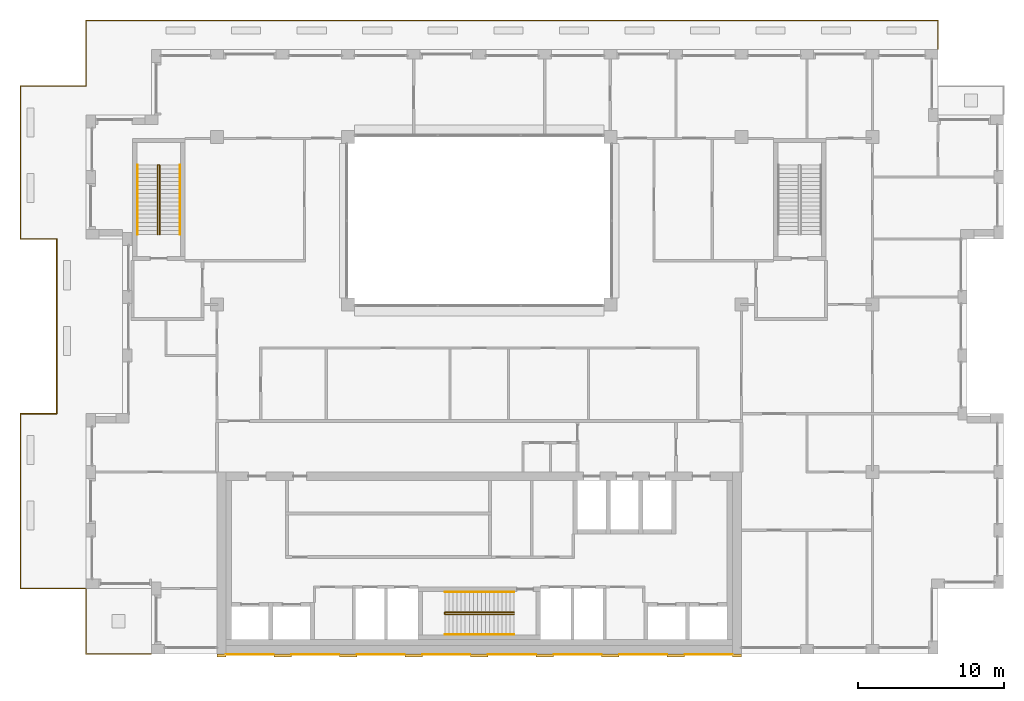
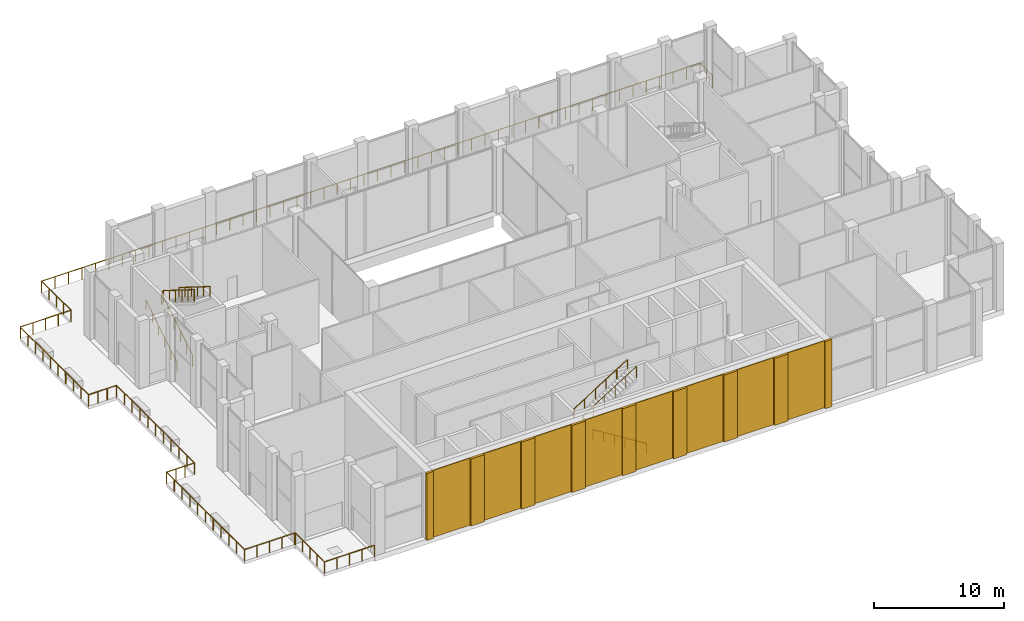
# One storey, part 17 of 18: 17 coverings, 8 railings.
"""IFC4 building model written with IfcOpenShell, lengths in metres."""

from ifc_helpers import new_model, si_unit, direction, frame, origin, origin_2d, place, context, subcontext, project, spatial, rectangle, circle, extrude, material, layer, layer_set, type_object, element, save


model = new_model("IFC4")

# Units and contexts
model_context = context("Model", 3, precision=1e-05, world=origin(), true_north=direction((0.0, 1.0)))
body_context = subcontext(model_context, "Body", "Model", "MODEL_VIEW")
ifc_project = project(units=[si_unit("LENGTHUNIT", "METRE"), si_unit("AREAUNIT", "SQUARE_METRE"), si_unit("VOLUMEUNIT", "CUBIC_METRE"), si_unit("PLANEANGLEUNIT", "RADIAN"), si_unit("MASSUNIT", "GRAM", prefix="KILO")], contexts=[model_context])

# Site, building, storey
site_placement = place(None, origin())
site = spatial("IfcSite", under=ifc_project, at=site_placement, CompositionType="ELEMENT")
building_placement = place(site_placement, origin())
building = spatial("IfcBuilding", under=site, at=building_placement, Name="Brigalow Station Residences", CompositionType="ELEMENT")
storey_placement = place(building_placement, frame((0.0, 0.0, 191.699951171875)))
storey = spatial("IfcBuildingStorey", under=building, at=storey_placement, Name="L55", CompositionType="ELEMENT", Elevation=191.699951171875)

# Railings
ifc_material_1 = material(Name="Stainless steel balustrade with laminated glass infill", Category="steel")
railing_type_1 = type_object("IfcRailingType", Name="BALCONY GUARD 1100", PredefinedType="GUARDRAIL", material=ifc_material_1)
railing_1_placement = place(storey_placement, frame((67.5, 41.550048828125, -0.0400390625)))
element("IfcRailing", 1, at=railing_1_placement, inside=storey, type_object=railing_type_1, Name="L55/terrace-guard/1-1", PredefinedType="GUARDRAIL", context=body_context, shape_type="SweptSolid", body=[
    extrude(circle(Radius=0.02392578125, at=origin_2d()), frame((0.0, 0.0, 1.076171875), z_axis=(0.0, 1.0, 0.0), x_axis=(-1.0, 0.0, 0.0)), (0.0, 0.0, 1.0), 1.949951171875),
    extrude(circle(Radius=0.02392578125, at=origin_2d()), frame((0.0, 1.949951171875, 1.076171875), z_axis=(-1.0, 0.0, 0.0), x_axis=(0.0, -1.0, 0.0)), (0.0, 0.0, 1.0), 58.5),
    extrude(circle(Radius=0.02392578125, at=origin_2d()), frame((-58.5, 1.949951171875, 1.076171875), z_axis=(0.0, -1.0, 0.0), x_axis=(1.0, 0.0, 0.0)), (0.0, 0.0, 1.0), 4.5),
    extrude(circle(Radius=0.02392578125, at=origin_2d()), frame((-58.5, -2.550048828125, 1.076171875), z_axis=(-1.0, 0.0, 0.0), x_axis=(0.0, -1.0, 0.0)), (0.0, 0.0, 1.0), 4.5),
    extrude(circle(Radius=0.02392578125, at=origin_2d()), frame((-63.0, -2.550048828125, 1.076171875), z_axis=(0.0, -1.0, 0.0), x_axis=(1.0, 0.0, 0.0)), (0.0, 0.0, 1.0), 10.5),
    extrude(circle(Radius=0.02392578125, at=origin_2d()), frame((-63.0, -13.050048828125, 1.076171875), z_axis=(1.0, 0.0, 0.0), x_axis=(0.0, 1.0, 0.0)), (0.0, 0.0, 1.0), 2.5),
    extrude(circle(Radius=0.02392578125, at=origin_2d()), frame((-60.5, -13.050048828125, 1.076171875), z_axis=(0.0, -1.0, 0.0), x_axis=(1.0, 0.0, 0.0)), (0.0, 0.0, 1.0), 12.0),
    extrude(circle(Radius=0.02392578125, at=origin_2d()), frame((-60.5, -25.050048828125, 1.076171875), z_axis=(-1.0, 0.0, 0.0), x_axis=(0.0, -1.0, 0.0)), (0.0, 0.0, 1.0), 2.5),
    extrude(circle(Radius=0.02392578125, at=origin_2d()), frame((-63.0, -25.050048828125, 1.076171875), z_axis=(0.0, -1.0, 0.0), x_axis=(1.0, 0.0, 0.0)), (0.0, 0.0, 1.0), 12.0),
    extrude(circle(Radius=0.02392578125, at=origin_2d()), frame((-63.0, -37.050048828125, 1.076171875), z_axis=(1.0, 0.0, 0.0), x_axis=(0.0, 1.0, 0.0)), (0.0, 0.0, 1.0), 4.449951171875),
    extrude(circle(Radius=0.02099609375, at=origin_2d()), origin(), (0.0, 0.0, 1.0), 1.052001953125),
    extrude(circle(Radius=0.02099609375, at=origin_2d()), frame((0.0, 0.97509765625, 0.0)), (0.0, 0.0, 1.0), 1.052001953125),
    extrude(circle(Radius=0.02099609375, at=origin_2d()), frame((0.0, 1.949951171875, 0.0)), (0.0, 0.0, 1.0), 1.052001953125),
    extrude(circle(Radius=0.02099609375, at=origin_2d()), frame((-1.19384765625, 1.949951171875, 0.0)), (0.0, 0.0, 1.0), 1.052001953125),
    extrude(circle(Radius=0.02099609375, at=origin_2d()), frame((-2.3876953125, 1.949951171875, 0.0)), (0.0, 0.0, 1.0), 1.052001953125),
    extrude(circle(Radius=0.02099609375, at=origin_2d()), frame((-3.58154296875, 1.949951171875, 0.0)), (0.0, 0.0, 1.0), 1.052001953125),
    extrude(circle(Radius=0.02099609375, at=origin_2d()), frame((-4.775390625, 1.949951171875, 0.0)), (0.0, 0.0, 1.0), 1.052001953125),
    extrude(circle(Radius=0.02099609375, at=origin_2d()), frame((-5.969482421875, 1.949951171875, 0.0)), (0.0, 0.0, 1.0), 1.052001953125),
    extrude(circle(Radius=0.02099609375, at=origin_2d()), frame((-7.163330078125, 1.949951171875, 0.0)), (0.0, 0.0, 1.0), 1.052001953125),
    extrude(circle(Radius=0.02099609375, at=origin_2d()), frame((-8.357177734375, 1.949951171875, 0.0)), (0.0, 0.0, 1.0), 1.052001953125),
    extrude(circle(Radius=0.02099609375, at=origin_2d()), frame((-9.551025390625, 1.949951171875, 0.0)), (0.0, 0.0, 1.0), 1.052001953125),
    extrude(circle(Radius=0.02099609375, at=origin_2d()), frame((-10.744873046875, 1.949951171875, 0.0)), (0.0, 0.0, 1.0), 1.052001953125),
    extrude(circle(Radius=0.02099609375, at=origin_2d()), frame((-11.938720703125, 1.949951171875, 0.0)), (0.0, 0.0, 1.0), 1.052001953125),
    extrude(circle(Radius=0.02099609375, at=origin_2d()), frame((-13.132568359375, 1.949951171875, 0.0)), (0.0, 0.0, 1.0), 1.052001953125),
    extrude(circle(Radius=0.02099609375, at=origin_2d()), frame((-14.326416015625, 1.949951171875, 0.0)), (0.0, 0.0, 1.0), 1.052001953125),
    extrude(circle(Radius=0.02099609375, at=origin_2d()), frame((-15.5205078125, 1.949951171875, 0.0)), (0.0, 0.0, 1.0), 1.052001953125),
    extrude(circle(Radius=0.02099609375, at=origin_2d()), frame((-16.71435546875, 1.949951171875, 0.0)), (0.0, 0.0, 1.0), 1.052001953125),
    extrude(circle(Radius=0.02099609375, at=origin_2d()), frame((-17.908203125, 1.949951171875, 0.0)), (0.0, 0.0, 1.0), 1.052001953125),
    extrude(circle(Radius=0.02099609375, at=origin_2d()), frame((-19.10205078125, 1.949951171875, 0.0)), (0.0, 0.0, 1.0), 1.052001953125),
    extrude(circle(Radius=0.02099609375, at=origin_2d()), frame((-20.2958984375, 1.949951171875, 0.0)), (0.0, 0.0, 1.0), 1.052001953125),
    extrude(circle(Radius=0.02099609375, at=origin_2d()), frame((-21.48974609375, 1.949951171875, 0.0)), (0.0, 0.0, 1.0), 1.052001953125),
    extrude(circle(Radius=0.02099609375, at=origin_2d()), frame((-22.68359375, 1.949951171875, 0.0)), (0.0, 0.0, 1.0), 1.052001953125),
    extrude(circle(Radius=0.02099609375, at=origin_2d()), frame((-23.87744140625, 1.949951171875, 0.0)), (0.0, 0.0, 1.0), 1.052001953125),
    extrude(circle(Radius=0.02099609375, at=origin_2d()), frame((-25.071533203125, 1.949951171875, 0.0)), (0.0, 0.0, 1.0), 1.052001953125),
    extrude(circle(Radius=0.02099609375, at=origin_2d()), frame((-26.265380859375, 1.949951171875, 0.0)), (0.0, 0.0, 1.0), 1.052001953125),
    extrude(circle(Radius=0.02099609375, at=origin_2d()), frame((-27.459228515625, 1.949951171875, 0.0)), (0.0, 0.0, 1.0), 1.052001953125),
    extrude(circle(Radius=0.02099609375, at=origin_2d()), frame((-28.653076171875, 1.949951171875, 0.0)), (0.0, 0.0, 1.0), 1.052001953125),
    extrude(circle(Radius=0.02099609375, at=origin_2d()), frame((-29.846923828125, 1.949951171875, 0.0)), (0.0, 0.0, 1.0), 1.052001953125),
    extrude(circle(Radius=0.02099609375, at=origin_2d()), frame((-31.040771484375, 1.949951171875, 0.0)), (0.0, 0.0, 1.0), 1.052001953125),
    extrude(circle(Radius=0.02099609375, at=origin_2d()), frame((-32.234619140625, 1.949951171875, 0.0)), (0.0, 0.0, 1.0), 1.052001953125),
    extrude(circle(Radius=0.02099609375, at=origin_2d()), frame((-33.428466796875, 1.949951171875, 0.0)), (0.0, 0.0, 1.0), 1.052001953125),
    extrude(circle(Radius=0.02099609375, at=origin_2d()), frame((-34.62255859375, 1.949951171875, 0.0)), (0.0, 0.0, 1.0), 1.052001953125),
    extrude(circle(Radius=0.02099609375, at=origin_2d()), frame((-35.81640625, 1.949951171875, 0.0)), (0.0, 0.0, 1.0), 1.052001953125),
    extrude(circle(Radius=0.02099609375, at=origin_2d()), frame((-37.01025390625, 1.949951171875, 0.0)), (0.0, 0.0, 1.0), 1.052001953125),
    extrude(circle(Radius=0.02099609375, at=origin_2d()), frame((-38.2041015625, 1.949951171875, 0.0)), (0.0, 0.0, 1.0), 1.052001953125),
    extrude(circle(Radius=0.02099609375, at=origin_2d()), frame((-39.39794921875, 1.949951171875, 0.0)), (0.0, 0.0, 1.0), 1.052001953125),
    extrude(circle(Radius=0.02099609375, at=origin_2d()), frame((-40.591796875, 1.949951171875, 0.0)), (0.0, 0.0, 1.0), 1.052001953125),
    extrude(circle(Radius=0.02099609375, at=origin_2d()), frame((-41.78564453125, 1.949951171875, 0.0)), (0.0, 0.0, 1.0), 1.052001953125),
    extrude(circle(Radius=0.02099609375, at=origin_2d()), frame((-42.9794921875, 1.949951171875, 0.0)), (0.0, 0.0, 1.0), 1.052001953125),
    extrude(circle(Radius=0.02099609375, at=origin_2d()), frame((-44.173583984375, 1.949951171875, 0.0)), (0.0, 0.0, 1.0), 1.052001953125),
    extrude(circle(Radius=0.02099609375, at=origin_2d()), frame((-45.367431640625, 1.949951171875, 0.0)), (0.0, 0.0, 1.0), 1.052001953125),
    extrude(circle(Radius=0.02099609375, at=origin_2d()), frame((-46.561279296875, 1.949951171875, 0.0)), (0.0, 0.0, 1.0), 1.052001953125),
    extrude(circle(Radius=0.02099609375, at=origin_2d()), frame((-47.755126953125, 1.949951171875, 0.0)), (0.0, 0.0, 1.0), 1.052001953125),
    extrude(circle(Radius=0.02099609375, at=origin_2d()), frame((-48.948974609375, 1.949951171875, 0.0)), (0.0, 0.0, 1.0), 1.052001953125),
    extrude(circle(Radius=0.02099609375, at=origin_2d()), frame((-50.142822265625, 1.949951171875, 0.0)), (0.0, 0.0, 1.0), 1.052001953125),
    extrude(circle(Radius=0.02099609375, at=origin_2d()), frame((-51.336669921875, 1.949951171875, 0.0)), (0.0, 0.0, 1.0), 1.052001953125),
    extrude(circle(Radius=0.02099609375, at=origin_2d()), frame((-52.530517578125, 1.949951171875, 0.0)), (0.0, 0.0, 1.0), 1.052001953125),
    extrude(circle(Radius=0.02099609375, at=origin_2d()), frame((-53.724609375, 1.949951171875, 0.0)), (0.0, 0.0, 1.0), 1.052001953125),
    extrude(circle(Radius=0.02099609375, at=origin_2d()), frame((-54.91845703125, 1.949951171875, 0.0)), (0.0, 0.0, 1.0), 1.052001953125),
    extrude(circle(Radius=0.02099609375, at=origin_2d()), frame((-56.1123046875, 1.949951171875, 0.0)), (0.0, 0.0, 1.0), 1.052001953125),
    extrude(circle(Radius=0.02099609375, at=origin_2d()), frame((-57.30615234375, 1.949951171875, 0.0)), (0.0, 0.0, 1.0), 1.052001953125),
    extrude(circle(Radius=0.02099609375, at=origin_2d()), frame((-58.5, 1.949951171875, 0.0)), (0.0, 0.0, 1.0), 1.052001953125),
    extrude(circle(Radius=0.02099609375, at=origin_2d()), frame((-58.5, 0.824951171875, 0.0)), (0.0, 0.0, 1.0), 1.052001953125),
    extrude(circle(Radius=0.02099609375, at=origin_2d()), frame((-58.5, -0.300048828125, 0.0)), (0.0, 0.0, 1.0), 1.052001953125),
    extrude(circle(Radius=0.02099609375, at=origin_2d()), frame((-58.5, -1.425048828125, 0.0)), (0.0, 0.0, 1.0), 1.052001953125),
    extrude(circle(Radius=0.02099609375, at=origin_2d()), frame((-58.5, -2.550048828125, 0.0)), (0.0, 0.0, 1.0), 1.052001953125),
    extrude(circle(Radius=0.02099609375, at=origin_2d()), frame((-59.625, -2.550048828125, 0.0)), (0.0, 0.0, 1.0), 1.052001953125),
    extrude(circle(Radius=0.02099609375, at=origin_2d()), frame((-60.75, -2.550048828125, 0.0)), (0.0, 0.0, 1.0), 1.052001953125),
    extrude(circle(Radius=0.02099609375, at=origin_2d()), frame((-61.875, -2.550048828125, 0.0)), (0.0, 0.0, 1.0), 1.052001953125),
    extrude(circle(Radius=0.02099609375, at=origin_2d()), frame((-63.0, -2.550048828125, 0.0)), (0.0, 0.0, 1.0), 1.052001953125),
    extrude(circle(Radius=0.02099609375, at=origin_2d()), frame((-63.0, -3.716796875, 0.0)), (0.0, 0.0, 1.0), 1.052001953125),
    extrude(circle(Radius=0.02099609375, at=origin_2d()), frame((-63.0, -4.88330078125, 0.0)), (0.0, 0.0, 1.0), 1.052001953125),
    extrude(circle(Radius=0.02099609375, at=origin_2d()), frame((-63.0, -6.050048828125, 0.0)), (0.0, 0.0, 1.0), 1.052001953125),
    extrude(circle(Radius=0.02099609375, at=origin_2d()), frame((-63.0, -7.216796875, 0.0)), (0.0, 0.0, 1.0), 1.052001953125),
    extrude(circle(Radius=0.02099609375, at=origin_2d()), frame((-63.0, -8.38330078125, 0.0)), (0.0, 0.0, 1.0), 1.052001953125),
    extrude(circle(Radius=0.02099609375, at=origin_2d()), frame((-63.0, -9.550048828125, 0.0)), (0.0, 0.0, 1.0), 1.052001953125),
    extrude(circle(Radius=0.02099609375, at=origin_2d()), frame((-63.0, -10.716796875, 0.0)), (0.0, 0.0, 1.0), 1.052001953125),
    extrude(circle(Radius=0.02099609375, at=origin_2d()), frame((-63.0, -11.88330078125, 0.0)), (0.0, 0.0, 1.0), 1.052001953125),
    extrude(circle(Radius=0.02099609375, at=origin_2d()), frame((-63.0, -13.050048828125, 0.0)), (0.0, 0.0, 1.0), 1.052001953125),
    extrude(circle(Radius=0.02099609375, at=origin_2d()), frame((-62.166748046875, -13.050048828125, 0.0)), (0.0, 0.0, 1.0), 1.052001953125),
    extrude(circle(Radius=0.02099609375, at=origin_2d()), frame((-61.333251953125, -13.050048828125, 0.0)), (0.0, 0.0, 1.0), 1.052001953125),
    extrude(circle(Radius=0.02099609375, at=origin_2d()), frame((-60.5, -13.050048828125, 0.0)), (0.0, 0.0, 1.0), 1.052001953125),
    extrude(circle(Radius=0.02099609375, at=origin_2d()), frame((-60.5, -14.25, 0.0)), (0.0, 0.0, 1.0), 1.052001953125),
    extrude(circle(Radius=0.02099609375, at=origin_2d()), frame((-60.5, -15.449951171875, 0.0)), (0.0, 0.0, 1.0), 1.052001953125),
    extrude(circle(Radius=0.02099609375, at=origin_2d()), frame((-60.5, -16.650146484375, 0.0)), (0.0, 0.0, 1.0), 1.052001953125),
    extrude(circle(Radius=0.02099609375, at=origin_2d()), frame((-60.5, -17.85009765625, 0.0)), (0.0, 0.0, 1.0), 1.052001953125),
    extrude(circle(Radius=0.02099609375, at=origin_2d()), frame((-60.5, -19.050048828125, 0.0)), (0.0, 0.0, 1.0), 1.052001953125),
    extrude(circle(Radius=0.02099609375, at=origin_2d()), frame((-60.5, -20.25, 0.0)), (0.0, 0.0, 1.0), 1.052001953125),
    extrude(circle(Radius=0.02099609375, at=origin_2d()), frame((-60.5, -21.449951171875, 0.0)), (0.0, 0.0, 1.0), 1.052001953125),
    extrude(circle(Radius=0.02099609375, at=origin_2d()), frame((-60.5, -22.650146484375, 0.0)), (0.0, 0.0, 1.0), 1.052001953125),
    extrude(circle(Radius=0.02099609375, at=origin_2d()), frame((-60.5, -23.85009765625, 0.0)), (0.0, 0.0, 1.0), 1.052001953125),
    extrude(circle(Radius=0.02099609375, at=origin_2d()), frame((-60.5, -25.050048828125, 0.0)), (0.0, 0.0, 1.0), 1.052001953125),
    extrude(circle(Radius=0.02099609375, at=origin_2d()), frame((-61.333251953125, -25.050048828125, 0.0)), (0.0, 0.0, 1.0), 1.052001953125),
    extrude(circle(Radius=0.02099609375, at=origin_2d()), frame((-62.166748046875, -25.050048828125, 0.0)), (0.0, 0.0, 1.0), 1.052001953125),
    extrude(circle(Radius=0.02099609375, at=origin_2d()), frame((-63.0, -25.050048828125, 0.0)), (0.0, 0.0, 1.0), 1.052001953125),
    extrude(circle(Radius=0.02099609375, at=origin_2d()), frame((-63.0, -26.25, 0.0)), (0.0, 0.0, 1.0), 1.052001953125),
    extrude(circle(Radius=0.02099609375, at=origin_2d()), frame((-63.0, -27.449951171875, 0.0)), (0.0, 0.0, 1.0), 1.052001953125),
    extrude(circle(Radius=0.02099609375, at=origin_2d()), frame((-63.0, -28.650146484375, 0.0)), (0.0, 0.0, 1.0), 1.052001953125),
    extrude(circle(Radius=0.02099609375, at=origin_2d()), frame((-63.0, -29.85009765625, 0.0)), (0.0, 0.0, 1.0), 1.052001953125),
    extrude(circle(Radius=0.02099609375, at=origin_2d()), frame((-63.0, -31.050048828125, 0.0)), (0.0, 0.0, 1.0), 1.052001953125),
    extrude(circle(Radius=0.02099609375, at=origin_2d()), frame((-63.0, -32.25, 0.0)), (0.0, 0.0, 1.0), 1.052001953125),
    extrude(circle(Radius=0.02099609375, at=origin_2d()), frame((-63.0, -33.449951171875, 0.0)), (0.0, 0.0, 1.0), 1.052001953125),
    extrude(circle(Radius=0.02099609375, at=origin_2d()), frame((-63.0, -34.650146484375, 0.0)), (0.0, 0.0, 1.0), 1.052001953125),
    extrude(circle(Radius=0.02099609375, at=origin_2d()), frame((-63.0, -35.85009765625, 0.0)), (0.0, 0.0, 1.0), 1.052001953125),
    extrude(circle(Radius=0.02099609375, at=origin_2d()), frame((-63.0, -37.050048828125, 0.0)), (0.0, 0.0, 1.0), 1.052001953125),
    extrude(circle(Radius=0.02099609375, at=origin_2d()), frame((-61.887451171875, -37.050048828125, 0.0)), (0.0, 0.0, 1.0), 1.052001953125),
    extrude(circle(Radius=0.02099609375, at=origin_2d()), frame((-60.77490234375, -37.050048828125, 0.0)), (0.0, 0.0, 1.0), 1.052001953125),
    extrude(circle(Radius=0.02099609375, at=origin_2d()), frame((-59.66259765625, -37.050048828125, 0.0)), (0.0, 0.0, 1.0), 1.052001953125),
    extrude(circle(Radius=0.02099609375, at=origin_2d()), frame((-58.550048828125, -37.050048828125, 0.0)), (0.0, 0.0, 1.0), 1.052001953125),
])
railing_2_placement = place(storey_placement, frame((9.0, 4.449951171875, -0.0400390625)))
element("IfcRailing", 2, at=railing_2_placement, inside=storey, type_object=railing_type_1, Name="L55/terrace-guard/2-1", PredefinedType="GUARDRAIL", context=body_context, shape_type="SweptSolid", body=[
    extrude(circle(Radius=0.02392578125, at=origin_2d()), frame((0.0, 0.0, 1.076171875), z_axis=(0.0, -1.0, 0.0), x_axis=(1.0, 0.0, 0.0)), (0.0, 0.0, 1.0), 4.449951171875),
    extrude(circle(Radius=0.02392578125, at=origin_2d()), frame((0.0, -4.449951171875, 1.076171875), z_axis=(1.0, 0.0, 0.0), x_axis=(0.0, 1.0, 0.0)), (0.0, 0.0, 1.0), 4.449951171875),
    extrude(circle(Radius=0.02099609375, at=origin_2d()), origin(), (0.0, 0.0, 1.0), 1.052001953125),
    extrude(circle(Radius=0.02099609375, at=origin_2d()), frame((0.0, -1.112548828125, 0.0)), (0.0, 0.0, 1.0), 1.052001953125),
    extrude(circle(Radius=0.02099609375, at=origin_2d()), frame((0.0, -2.22509765625, 0.0)), (0.0, 0.0, 1.0), 1.052001953125),
    extrude(circle(Radius=0.02099609375, at=origin_2d()), frame((0.0, -3.33740234375, 0.0)), (0.0, 0.0, 1.0), 1.052001953125),
    extrude(circle(Radius=0.02099609375, at=origin_2d()), frame((0.0, -4.449951171875, 0.0)), (0.0, 0.0, 1.0), 1.052001953125),
    extrude(circle(Radius=0.02099609375, at=origin_2d()), frame((1.112548828125, -4.449951171875, 0.0)), (0.0, 0.0, 1.0), 1.052001953125),
    extrude(circle(Radius=0.02099609375, at=origin_2d()), frame((2.22509765625, -4.449951171875, 0.0)), (0.0, 0.0, 1.0), 1.052001953125),
    extrude(circle(Radius=0.02099609375, at=origin_2d()), frame((3.33740234375, -4.449951171875, 0.0)), (0.0, 0.0, 1.0), 1.052001953125),
    extrude(circle(Radius=0.02099609375, at=origin_2d()), frame((4.449951171875, -4.449951171875, 0.0)), (0.0, 0.0, 1.0), 1.052001953125),
])

# Coverings
ifc_material_2 = material(Name="Clay brick masonry", Category="masonry")
ifc_layer_1 = layer(ifc_material_2, 0.06005859375)
ifc_layer_set_1 = layer_set([ifc_layer_1], Name="BRICK PANEL FACING 60")
covering_type_1 = type_object("IfcCoveringType", Name="BRICK PANEL FACING 60", PredefinedType="CLADDING", material=ifc_layer_set_1)
for number, where, z_axis, x_axis, name in (
    (3, (20.25, -0.030029296875, 0.0), (0.0, 0.0, 1.0), (1.0, 0.0, 0.0), "L55/rear-facing/panel-1"),
    (4, (24.75, -0.030029296875, 0.0), (0.0, 0.0, 1.0), (1.0, 0.0, 0.0), "L55/rear-facing/panel-2"),
    (5, (29.25, -0.030029296875, 0.0), (0.0, 0.0, 1.0), (1.0, 0.0, 0.0), "L55/rear-facing/panel-3"),
    (6, (33.75, -0.030029296875, 0.0), (0.0, 0.0, 1.0), (1.0, 0.0, 0.0), "L55/rear-facing/panel-4"),
    (7, (38.25, -0.030029296875, 0.0), (0.0, 0.0, 1.0), (1.0, 0.0, 0.0), "L55/rear-facing/panel-5"),
    (8, (42.75, -0.030029296875, 0.0), (0.0, 0.0, 1.0), (1.0, 0.0, 0.0), "L55/rear-facing/panel-6"),
    (9, (47.25, -0.030029296875, 0.0), (0.0, 0.0, 1.0), (1.0, 0.0, 0.0), "L55/rear-facing/panel-7"),
    (10, (51.75, -0.030029296875, 0.0), (0.0, 0.0, 1.0), (1.0, 0.0, 0.0), "L55/rear-facing/panel-8"),
):
    element("IfcCovering", number, at=place(storey_placement, frame(where, z_axis=z_axis, x_axis=x_axis)), inside=storey, type_object=covering_type_1, Name=name, PredefinedType="CLADDING", context=body_context, shape_type="SweptSolid", body=[
        extrude(rectangle(XDim=3.300048828125, YDim=0.06005859375, at=origin_2d()), origin(), (0.0, 0.0, 1.0), 6.300048828125),
    ])
ifc_material_3 = material(Name="Clay brick masonry", Category="masonry")
ifc_layer_2 = layer(ifc_material_3, 0.199951171875)
ifc_layer_set_2 = layer_set([ifc_layer_2], Name="BRICK PIER FACING 200")
covering_type_2 = type_object("IfcCoveringType", Name="BRICK PIER FACING 200", PredefinedType="CLADDING", material=ifc_layer_set_2)
covering_1_placement = place(storey_placement, frame((18.300048828125, -0.10009765625, 0.0), z_axis=(0.0, 0.0, 1.0), x_axis=(1.0, 0.0, 0.0)))
element("IfcCovering", 11, at=covering_1_placement, inside=storey, type_object=covering_type_2, Name="L55/rear-facing/pier-1", PredefinedType="CLADDING", context=body_context, shape_type="SweptSolid", body=[
    extrude(rectangle(XDim=0.60009765625, YDim=0.199951171875, at=origin_2d()), origin(), (0.0, 0.0, 1.0), 6.300048828125),
])
for number, where, z_axis, x_axis, name in (
    (12, (22.5, -0.10009765625, 0.0), (0.0, 0.0, 1.0), (1.0, 0.0, 0.0), "L55/rear-facing/pier-2"),
    (13, (27.0, -0.10009765625, 0.0), (0.0, 0.0, 1.0), (1.0, 0.0, 0.0), "L55/rear-facing/pier-3"),
    (14, (31.5, -0.10009765625, 0.0), (0.0, 0.0, 1.0), (1.0, 0.0, 0.0), "L55/rear-facing/pier-4"),
    (15, (36.0, -0.10009765625, 0.0), (0.0, 0.0, 1.0), (1.0, 0.0, 0.0), "L55/rear-facing/pier-5"),
    (16, (40.5, -0.10009765625, 0.0), (0.0, 0.0, 1.0), (1.0, 0.0, 0.0), "L55/rear-facing/pier-6"),
    (17, (45.0, -0.10009765625, 0.0), (0.0, 0.0, 1.0), (1.0, 0.0, 0.0), "L55/rear-facing/pier-7"),
    (18, (49.5, -0.10009765625, 0.0), (0.0, 0.0, 1.0), (1.0, 0.0, 0.0), "L55/rear-facing/pier-8"),
):
    element("IfcCovering", number, at=place(storey_placement, frame(where, z_axis=z_axis, x_axis=x_axis)), inside=storey, type_object=covering_type_2, Name=name, PredefinedType="CLADDING", context=body_context, shape_type="SweptSolid", body=[
        extrude(rectangle(XDim=1.199951171875, YDim=0.199951171875, at=origin_2d()), origin(), (0.0, 0.0, 1.0), 6.300048828125),
    ])
covering_2_placement = place(storey_placement, frame((53.699951171875, -0.10009765625, 0.0), z_axis=(0.0, 0.0, 1.0), x_axis=(1.0, 0.0, 0.0)))
element("IfcCovering", 19, at=covering_2_placement, inside=storey, type_object=covering_type_2, Name="L55/rear-facing/pier-9", PredefinedType="CLADDING", context=body_context, shape_type="SweptSolid", body=[
    extrude(rectangle(XDim=0.60009765625, YDim=0.199951171875, at=origin_2d()), origin(), (0.0, 0.0, 1.0), 6.300048828125),
])

# Railings
ifc_material_4 = material(Name="Stainless steel balustrade", Category="steel")
railing_type_2 = type_object("IfcRailingType", Name="STAIR GUARD 1100", PredefinedType="GUARDRAIL", material=ifc_material_4)
railing_3_placement = place(storey_placement, frame((38.39990234375, 2.72998046875, 0.175048828125)))
element("IfcRailing", 20, at=railing_3_placement, inside=storey, type_object=railing_type_2, Name="GUARD GR-2", PredefinedType="GUARDRAIL", context=body_context, shape_type="SweptSolid", body=[
    extrude(circle(Radius=0.02392578125, at=origin_2d()), frame((0.0, 0.0, 1.076171875), z_axis=(-0.847990973574, 0.0, 0.530010668512), x_axis=(0.0, -1.0, 0.0)), (0.0, 0.0, 1.0), 5.61328125),
    extrude(circle(Radius=0.02392578125, at=origin_2d()), frame((-4.760009765625, 0.0, 4.05126953125), z_axis=(0.0, 0.62549206879, 0.780230524833), x_axis=(-1.0, 0.0, 0.0)), (0.0, 0.0, 1.0), 0.22412109375),
    extrude(circle(Radius=0.02392578125, at=origin_2d()), frame((-4.760009765625, 0.14013671875, 4.22607421875), z_axis=(0.847990973574, 0.0, 0.530010668512), x_axis=(0.0, 1.0, 0.0)), (0.0, 0.0, 1.0), 5.61328125),
    extrude(circle(Radius=0.02099609375, at=origin_2d()), origin(), (0.0, 0.0, 1.0), 1.052001953125),
    extrude(circle(Radius=0.02099609375, at=origin_2d()), frame((-0.951904296875, 0.0, 0.594970703125)), (0.0, 0.0, 1.0), 1.052001953125),
    extrude(circle(Radius=0.02099609375, at=origin_2d()), frame((-1.904052734375, 0.0, 1.18994140625)), (0.0, 0.0, 1.0), 1.052001953125),
    extrude(circle(Radius=0.02099609375, at=origin_2d()), frame((-2.85595703125, 0.0, 1.78515625)), (0.0, 0.0, 1.0), 1.052001953125),
    extrude(circle(Radius=0.02099609375, at=origin_2d()), frame((-3.80810546875, 0.0, 2.380126953125)), (0.0, 0.0, 1.0), 1.052001953125),
    extrude(circle(Radius=0.02099609375, at=origin_2d()), frame((-4.760009765625, 0.0, 2.97509765625)), (0.0, 0.0, 1.0), 1.052001953125),
    extrude(circle(Radius=0.02099609375, at=origin_2d()), frame((-4.760009765625, 0.14013671875, 3.14990234375)), (0.0, 0.0, 1.0), 1.052001953125),
    extrude(circle(Radius=0.02099609375, at=origin_2d()), frame((-3.80810546875, 0.14013671875, 3.744873046875)), (0.0, 0.0, 1.0), 1.052001953125),
    extrude(circle(Radius=0.02099609375, at=origin_2d()), frame((-2.85595703125, 0.14013671875, 4.33984375)), (0.0, 0.0, 1.0), 1.052001953125),
    extrude(circle(Radius=0.02099609375, at=origin_2d()), frame((-1.904052734375, 0.14013671875, 4.93505859375)), (0.0, 0.0, 1.0), 1.052001953125),
    extrude(circle(Radius=0.02099609375, at=origin_2d()), frame((-0.951904296875, 0.14013671875, 5.530029296875)), (0.0, 0.0, 1.0), 1.052001953125),
    extrude(circle(Radius=0.02099609375, at=origin_2d()), frame((0.0, 0.14013671875, 6.125)), (0.0, 0.0, 1.0), 1.052001953125),
])
railing_4_placement = place(storey_placement, frame((13.929931640625, 28.800048828125, 0.175048828125)))
element("IfcRailing", 21, at=railing_4_placement, inside=storey, type_object=railing_type_2, Name="GUARD GR-1", PredefinedType="GUARDRAIL", context=body_context, shape_type="SweptSolid", body=[
    extrude(circle(Radius=0.02392578125, at=origin_2d()), frame((0.0, 0.0, 1.076171875), z_axis=(0.0, 0.847990973574, 0.530010668512), x_axis=(-1.0, 0.0, 0.0)), (0.0, 0.0, 1.0), 5.61328125),
    extrude(circle(Radius=0.02392578125, at=origin_2d()), frame((0.0, 4.760009765625, 4.05126953125), z_axis=(0.62549206879, 0.0, 0.780230524833), x_axis=(0.0, 1.0, 0.0)), (0.0, 0.0, 1.0), 0.22412109375),
    extrude(circle(Radius=0.02392578125, at=origin_2d()), frame((0.14013671875, 4.760009765625, 4.22607421875), z_axis=(0.0, -0.847990973574, 0.530010668512), x_axis=(1.0, 0.0, 0.0)), (0.0, 0.0, 1.0), 5.61328125),
    extrude(circle(Radius=0.02099609375, at=origin_2d()), origin(), (0.0, 0.0, 1.0), 1.052001953125),
    extrude(circle(Radius=0.02099609375, at=origin_2d()), frame((0.0, 0.951904296875, 0.594970703125)), (0.0, 0.0, 1.0), 1.052001953125),
    extrude(circle(Radius=0.02099609375, at=origin_2d()), frame((0.0, 1.904052734375, 1.18994140625)), (0.0, 0.0, 1.0), 1.052001953125),
    extrude(circle(Radius=0.02099609375, at=origin_2d()), frame((0.0, 2.85595703125, 1.78515625)), (0.0, 0.0, 1.0), 1.052001953125),
    extrude(circle(Radius=0.02099609375, at=origin_2d()), frame((0.0, 3.80810546875, 2.380126953125)), (0.0, 0.0, 1.0), 1.052001953125),
    extrude(circle(Radius=0.02099609375, at=origin_2d()), frame((0.0, 4.760009765625, 2.97509765625)), (0.0, 0.0, 1.0), 1.052001953125),
    extrude(circle(Radius=0.02099609375, at=origin_2d()), frame((0.14013671875, 4.760009765625, 3.14990234375)), (0.0, 0.0, 1.0), 1.052001953125),
    extrude(circle(Radius=0.02099609375, at=origin_2d()), frame((0.14013671875, 3.80810546875, 3.744873046875)), (0.0, 0.0, 1.0), 1.052001953125),
    extrude(circle(Radius=0.02099609375, at=origin_2d()), frame((0.14013671875, 2.85595703125, 4.33984375)), (0.0, 0.0, 1.0), 1.052001953125),
    extrude(circle(Radius=0.02099609375, at=origin_2d()), frame((0.14013671875, 1.904052734375, 4.93505859375)), (0.0, 0.0, 1.0), 1.052001953125),
    extrude(circle(Radius=0.02099609375, at=origin_2d()), frame((0.14013671875, 0.951904296875, 5.530029296875)), (0.0, 0.0, 1.0), 1.052001953125),
    extrude(circle(Radius=0.02099609375, at=origin_2d()), frame((0.14013671875, 0.0, 6.125)), (0.0, 0.0, 1.0), 1.052001953125),
])
ifc_material_5 = material(Name="Stainless steel handrail", Category="steel")
railing_type_3 = type_object("IfcRailingType", Name="STAIR HANDRAIL 900", PredefinedType="HANDRAIL", material=ifc_material_5)
railing_5_placement = place(storey_placement, frame((38.39990234375, 1.340087890625, 0.175048828125)))
element("IfcRailing", 22, at=railing_5_placement, inside=storey, type_object=railing_type_3, Name="HANDRAIL HR-21", PredefinedType="HANDRAIL", context=body_context, shape_type="SweptSolid", body=[
    extrude(circle(Radius=0.02392578125, at=origin_2d()), frame((0.0, 0.0, 0.8759765625), z_axis=(-0.847990973574, 0.0, 0.530010668512), x_axis=(0.0, -1.0, 0.0)), (0.0, 0.0, 1.0), 5.61328125),
    extrude(circle(Radius=0.02099609375, at=origin_2d()), origin(), (0.0, 0.0, 1.0), 0.851806640625),
    extrude(circle(Radius=0.02099609375, at=origin_2d()), frame((-0.951904296875, 0.0, 0.594970703125)), (0.0, 0.0, 1.0), 0.851806640625),
    extrude(circle(Radius=0.02099609375, at=origin_2d()), frame((-1.904052734375, 0.0, 1.18994140625)), (0.0, 0.0, 1.0), 0.851806640625),
    extrude(circle(Radius=0.02099609375, at=origin_2d()), frame((-2.85595703125, 0.0, 1.78515625)), (0.0, 0.0, 1.0), 0.851806640625),
    extrude(circle(Radius=0.02099609375, at=origin_2d()), frame((-3.80810546875, 0.0, 2.380126953125)), (0.0, 0.0, 1.0), 0.851806640625),
    extrude(circle(Radius=0.02099609375, at=origin_2d()), frame((-4.760009765625, 0.0, 2.97509765625)), (0.0, 0.0, 1.0), 0.851806640625),
])
railing_6_placement = place(storey_placement, frame((33.639892578125, 4.260009765625, 3.324951171875)))
element("IfcRailing", 23, at=railing_6_placement, inside=storey, type_object=railing_type_3, Name="HANDRAIL HR-22", PredefinedType="HANDRAIL", context=body_context, shape_type="SweptSolid", body=[
    extrude(circle(Radius=0.02392578125, at=origin_2d()), frame((0.0, 0.0, 0.8759765625), z_axis=(0.847990973574, 0.0, 0.530010668512), x_axis=(0.0, 1.0, 0.0)), (0.0, 0.0, 1.0), 5.61328125),
    extrude(circle(Radius=0.02099609375, at=origin_2d()), origin(), (0.0, 0.0, 1.0), 0.851806640625),
    extrude(circle(Radius=0.02099609375, at=origin_2d()), frame((0.951904296875, 0.0, 0.594970703125)), (0.0, 0.0, 1.0), 0.851806640625),
    extrude(circle(Radius=0.02099609375, at=origin_2d()), frame((1.904052734375, 0.0, 1.18994140625)), (0.0, 0.0, 1.0), 0.851806640625),
    extrude(circle(Radius=0.02099609375, at=origin_2d()), frame((2.85595703125, 0.0, 1.78515625)), (0.0, 0.0, 1.0), 0.851806640625),
    extrude(circle(Radius=0.02099609375, at=origin_2d()), frame((3.80810546875, 0.0, 2.380126953125)), (0.0, 0.0, 1.0), 0.851806640625),
    extrude(circle(Radius=0.02099609375, at=origin_2d()), frame((4.760009765625, 0.0, 2.97509765625)), (0.0, 0.0, 1.0), 0.851806640625),
])
railing_7_placement = place(storey_placement, frame((12.5400390625, 28.800048828125, 0.175048828125)))
element("IfcRailing", 24, at=railing_7_placement, inside=storey, type_object=railing_type_3, Name="HANDRAIL HR-11", PredefinedType="HANDRAIL", context=body_context, shape_type="SweptSolid", body=[
    extrude(circle(Radius=0.02392578125, at=origin_2d()), frame((0.0, 0.0, 0.8759765625), z_axis=(0.0, 0.847990973574, 0.530010668512), x_axis=(-1.0, 0.0, 0.0)), (0.0, 0.0, 1.0), 5.61328125),
    extrude(circle(Radius=0.02099609375, at=origin_2d()), origin(), (0.0, 0.0, 1.0), 0.851806640625),
    extrude(circle(Radius=0.02099609375, at=origin_2d()), frame((0.0, 0.951904296875, 0.594970703125)), (0.0, 0.0, 1.0), 0.851806640625),
    extrude(circle(Radius=0.02099609375, at=origin_2d()), frame((0.0, 1.904052734375, 1.18994140625)), (0.0, 0.0, 1.0), 0.851806640625),
    extrude(circle(Radius=0.02099609375, at=origin_2d()), frame((0.0, 2.85595703125, 1.78515625)), (0.0, 0.0, 1.0), 0.851806640625),
    extrude(circle(Radius=0.02099609375, at=origin_2d()), frame((0.0, 3.80810546875, 2.380126953125)), (0.0, 0.0, 1.0), 0.851806640625),
    extrude(circle(Radius=0.02099609375, at=origin_2d()), frame((0.0, 4.760009765625, 2.97509765625)), (0.0, 0.0, 1.0), 0.851806640625),
])
railing_8_placement = place(storey_placement, frame((15.4599609375, 33.56005859375, 3.324951171875)))
element("IfcRailing", 25, at=railing_8_placement, inside=storey, type_object=railing_type_3, Name="HANDRAIL HR-12", PredefinedType="HANDRAIL", context=body_context, shape_type="SweptSolid", body=[
    extrude(circle(Radius=0.02392578125, at=origin_2d()), frame((0.0, 0.0, 0.8759765625), z_axis=(0.0, -0.847990973574, 0.530010668512), x_axis=(1.0, 0.0, 0.0)), (0.0, 0.0, 1.0), 5.61328125),
    extrude(circle(Radius=0.02099609375, at=origin_2d()), origin(), (0.0, 0.0, 1.0), 0.851806640625),
    extrude(circle(Radius=0.02099609375, at=origin_2d()), frame((0.0, -0.951904296875, 0.594970703125)), (0.0, 0.0, 1.0), 0.851806640625),
    extrude(circle(Radius=0.02099609375, at=origin_2d()), frame((0.0, -1.904052734375, 1.18994140625)), (0.0, 0.0, 1.0), 0.851806640625),
    extrude(circle(Radius=0.02099609375, at=origin_2d()), frame((0.0, -2.85595703125, 1.78515625)), (0.0, 0.0, 1.0), 0.851806640625),
    extrude(circle(Radius=0.02099609375, at=origin_2d()), frame((0.0, -3.80810546875, 2.380126953125)), (0.0, 0.0, 1.0), 0.851806640625),
    extrude(circle(Radius=0.02099609375, at=origin_2d()), frame((0.0, -4.760009765625, 2.97509765625)), (0.0, 0.0, 1.0), 0.851806640625),
])

save(model, "model.ifc")
